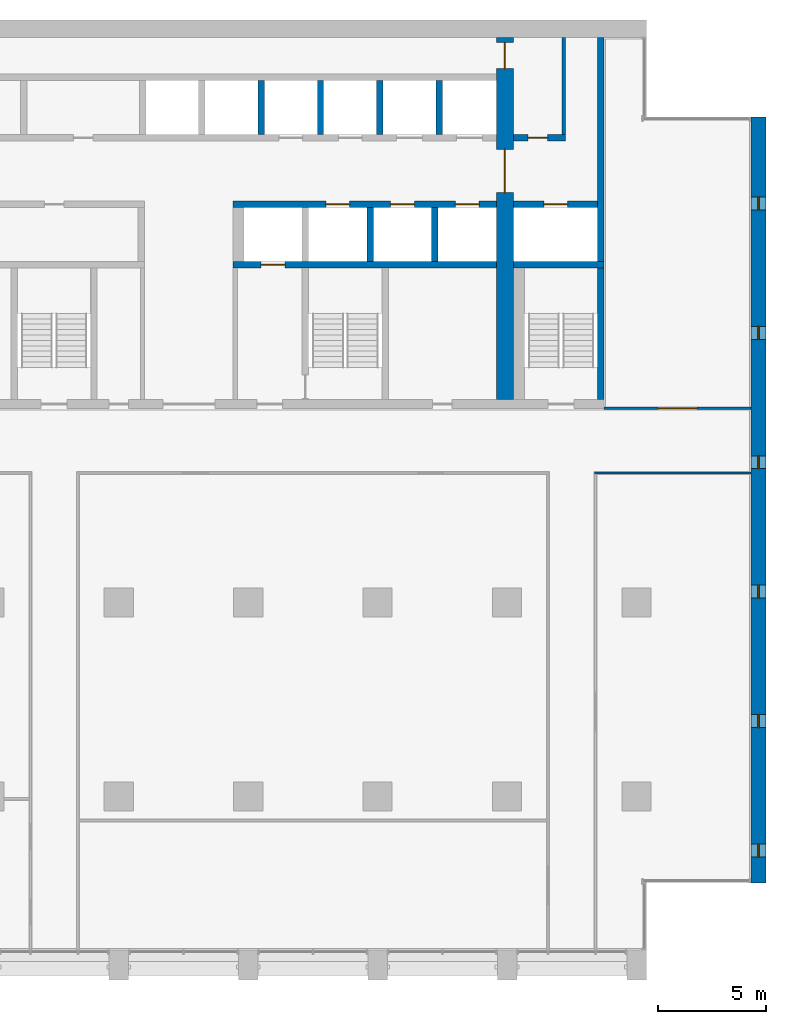
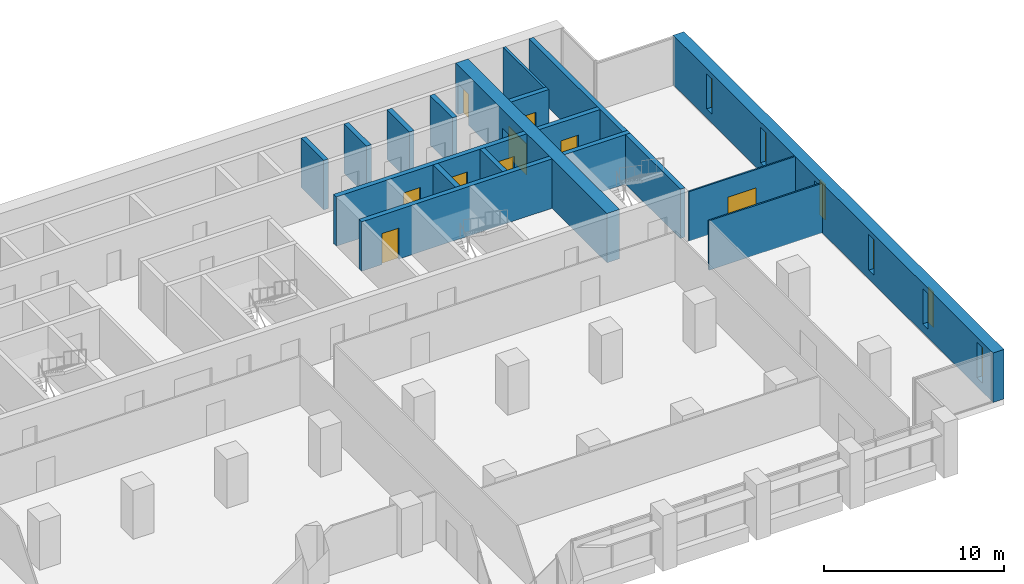
# One storey, part 11 of 15: 18 walls, 9 doors, 6 windows, 15 openings.
"""IFC4 building model written with IfcOpenShell, lengths in metres."""

from ifc_helpers import new_model, si_unit, direction, frame, frame_2d, origin, place, context, subcontext, project, spatial, rectangle, extrude, material, layer, layer_set, type_object, element, fill, save


model = new_model("IFC4")

# Units and contexts
model_context = context("Model", 3, precision=1e-05, world=origin(), true_north=direction((0.0, 1.0)))
body_context = subcontext(model_context, "Body", "Model", "MODEL_VIEW")
ifc_project = project(units=[si_unit("LENGTHUNIT", "METRE"), si_unit("AREAUNIT", "SQUARE_METRE"), si_unit("VOLUMEUNIT", "CUBIC_METRE"), si_unit("PLANEANGLEUNIT", "RADIAN"), si_unit("MASSUNIT", "GRAM", prefix="KILO")], contexts=[model_context])

# Site, building, storey
site_placement = place(None, origin())
site = spatial("IfcSite", under=ifc_project, at=site_placement, CompositionType="ELEMENT")
building_placement = place(site_placement, origin())
building = spatial("IfcBuilding", under=site, at=building_placement, Name="Calvaro Tower", CompositionType="ELEMENT")
storey_placement = place(building_placement, frame((0.0, 0.0, 117.5)))
storey = spatial("IfcBuildingStorey", under=building, at=storey_placement, Name="L29", CompositionType="ELEMENT", Elevation=117.5)

# Wall
ifc_material_1 = material(Name="Blockwork partition", Category="masonry")
ifc_layer_1 = layer(ifc_material_1, 0.14990234375)
ifc_layer_set_1 = layer_set([ifc_layer_1], Name="Blockwork partition")
wall_type_1 = type_object("IfcWallType", Name="Core partition 150 REI 120", PredefinedType="PARTITIONING", material=ifc_layer_set_1)
wall_1_placement = place(storey_placement, frame((62.625, 40.699951171875, 0.0), z_axis=(0.0, 0.0, 1.0), x_axis=(0.0, 1.0, 0.0)))
element("IfcWall", 1, at=wall_1_placement, inside=storey, type_object=wall_type_1, Name="Core partition", PredefinedType="PARTITIONING", context=body_context, shape_type="SweptSolid", body=[
    extrude(rectangle(XDim=4.5, YDim=0.14990234375, at=frame_2d((2.25, 0.0))), origin(), (0.0, 0.0, 1.0), 3.35009765625),
])

# Wall, opening, door
ifc_material_2 = material(Name="Blockwork partition", Category="masonry")
ifc_layer_2 = layer(ifc_material_2, 0.300048828125)
ifc_layer_set_2 = layer_set([ifc_layer_2], Name="Blockwork partition")
wall_type_2 = type_object("IfcWallType", Name="Core partition 300 REI 120", PredefinedType="PARTITIONING", material=ifc_layer_set_2)
wall_2_placement = place(storey_placement, frame((60.300048828125, 40.550048828125, 0.0), z_axis=(0.0, 0.0, 1.0), x_axis=(1.0, 0.0, 0.0)))
wall_2 = element("IfcWall", 2, at=wall_2_placement, inside=storey, type_object=wall_type_2, Name="Core partition", PredefinedType="PARTITIONING", context=body_context, shape_type="SweptSolid", body=[
    extrude(rectangle(XDim=2.39990234375, YDim=0.300048828125, at=frame_2d((1.199951171875, 0.0))), origin(), (0.0, 0.0, 1.0), 3.35009765625),
])
opening_1_placement = place(wall_2_placement, frame((0.675048828125, 0.0, 0.0)))
opening_1 = element("IfcOpeningElement", 3, at=opening_1_placement, cuts=wall_2, Name="Opening RD9C", PredefinedType="OPENING", context=body_context, shape_type="SweptSolid", body=[
    extrude(rectangle(XDim=0.89990234375, YDim=2.10009765625, at=frame_2d((0.449951171875, 1.050048828125))), frame((0.0, 0.159912109375, 0.0), z_axis=(0.0, -1.0, 0.0), x_axis=(1.0, 0.0, 0.0)), (0.0, 0.0, 1.0), 0.320068359375),
])
ifc_material_3 = material(Name="Steel door set", Category="steel")
door_type_1 = type_object("IfcDoorType", Name="Room door 900 FD30", OperationType="SINGLE_SWING_LEFT", PredefinedType="DOOR", material=ifc_material_3)
door_1_placement = place(opening_1_placement, origin())
door_1 = element("IfcDoor", 4, at=door_1_placement, inside=storey, type_object=door_type_1, Name="Room door", OperationType="SINGLE_SWING_LEFT", OverallHeight=2.10009765625, OverallWidth=0.89990234375, PredefinedType="DOOR", context=body_context, shape_type="SweptSolid", body=[
    extrude(rectangle(XDim=0.89990234375, YDim=2.10009765625, at=frame_2d((0.449951171875, 1.050048828125))), frame((0.0, 0.02490234375, 0.0), z_axis=(0.0, -1.0, 0.0), x_axis=(1.0, 0.0, 0.0)), (0.0, 0.0, 1.0), 0.050048828125),
])
fill(opening_1, door_1)

# Walls
ifc_material_4 = material(Name="Concrete C60/75", Category="concrete")
ifc_layer_3 = layer(ifc_material_4, 0.300048828125)
ifc_layer_set_3 = layer_set([ifc_layer_3], Name="Concrete C60/75")
wall_type_3 = type_object("IfcWallType", Name="Core wall C60/75 300", PredefinedType="SHEAR", material=ifc_layer_set_3)
wall_3_placement = place(storey_placement, frame((64.35009765625, 34.800048828125, 0.0), z_axis=(0.0, 0.0, 1.0), x_axis=(0.0, 1.0, 0.0)))
element("IfcWall", 5, at=wall_3_placement, inside=storey, type_object=wall_type_3, Name="Core wall, boundary", PredefinedType="SHEAR", context=body_context, shape_type="SweptSolid", body=[
    extrude(rectangle(XDim=10.39990234375, YDim=0.300048828125, at=frame_2d((5.199951171875, 0.0))), origin(), (0.0, 0.0, 1.0), 3.35009765625),
])
wall_4_placement = place(storey_placement, frame((64.35009765625, 28.39990234375, 0.0), z_axis=(0.0, 0.0, 1.0), x_axis=(0.0, 1.0, 0.0)))
element("IfcWall", 6, at=wall_4_placement, inside=storey, type_object=wall_type_3, Name="Core wall, stair enclosure", PredefinedType="SHEAR", context=body_context, shape_type="SweptSolid", body=[
    extrude(rectangle(XDim=6.10009765625, YDim=0.300048828125, at=frame_2d((3.050048828125, 0.0))), origin(), (0.0, 0.0, 1.0), 3.35009765625),
])

# Wall, opening, door
wall_5_placement = place(storey_placement, frame((47.300048828125, 34.64990234375, 0.0), z_axis=(0.0, 0.0, 1.0), x_axis=(1.0, 0.0, 0.0)))
wall_5 = element("IfcWall", 7, at=wall_5_placement, inside=storey, type_object=wall_type_3, Name="Core wall, lift shaft", PredefinedType="SHEAR", context=body_context, shape_type="SweptSolid", body=[
    extrude(rectangle(XDim=12.199951171875, YDim=0.300048828125, at=frame_2d((6.10009765625, 0.0))), origin(), (0.0, 0.0, 1.0), 3.35009765625),
])
opening_2_placement = place(wall_5_placement, frame((1.300048828125, 0.0, 0.0)))
opening_2 = element("IfcOpeningElement", 8, at=opening_2_placement, cuts=wall_5, Name="Opening FF2", PredefinedType="OPENING", context=body_context, shape_type="SweptSolid", body=[
    extrude(rectangle(XDim=1.10009765625, YDim=2.10009765625, at=frame_2d((0.550048828125, 1.050048828125))), frame((0.0, 0.159912109375, 0.0), z_axis=(0.0, -1.0, 0.0), x_axis=(1.0, 0.0, 0.0)), (0.0, 0.0, 1.0), 0.320068359375),
])
ifc_material_5 = material(Name="Stainless steel", Category="steel")
door_type_2 = type_object("IfcDoorType", Name="Landing door 1100 E 60", OperationType="SLIDING_TO_LEFT", PredefinedType="DOOR", material=ifc_material_5)
door_2_placement = place(opening_2_placement, origin())
door_2 = element("IfcDoor", 9, at=door_2_placement, inside=storey, type_object=door_type_2, Name="Landing door FF2", OperationType="SLIDING_TO_LEFT", OverallHeight=2.10009765625, OverallWidth=1.10009765625, PredefinedType="DOOR", context=body_context, shape_type="SweptSolid", body=[
    extrude(rectangle(XDim=1.10009765625, YDim=2.10009765625, at=frame_2d((0.550048828125, 1.050048828125))), frame((0.0, 0.02490234375, 0.0), z_axis=(0.0, -1.0, 0.0), x_axis=(1.0, 0.0, 0.0)), (0.0, 0.0, 1.0), 0.050048828125),
])
fill(opening_2, door_2)

# Wall
wall_6_placement = place(storey_placement, frame((60.300048828125, 34.64990234375, 0.0), z_axis=(0.0, 0.0, 1.0), x_axis=(1.0, 0.0, 0.0)))
element("IfcWall", 10, at=wall_6_placement, inside=storey, type_object=wall_type_3, Name="Core wall, lift shaft", PredefinedType="SHEAR", context=body_context, shape_type="SweptSolid", body=[
    extrude(rectangle(XDim=4.199951171875, YDim=0.300048828125, at=frame_2d((2.10009765625, 0.0))), origin(), (0.0, 0.0, 1.0), 3.35009765625),
])

# Wall, openings, doors
wall_7_placement = place(storey_placement, frame((47.300048828125, 37.449951171875, 0.0), z_axis=(0.0, 0.0, 1.0), x_axis=(1.0, 0.0, 0.0)))
wall_7 = element("IfcWall", 11, at=wall_7_placement, inside=storey, type_object=wall_type_3, Name="Core wall, lift shaft", PredefinedType="SHEAR", context=body_context, shape_type="SweptSolid", body=[
    extrude(rectangle(XDim=12.199951171875, YDim=0.300048828125, at=frame_2d((6.10009765625, 0.0))), origin(), (0.0, 0.0, 1.0), 3.35009765625),
])
opening_3_placement = place(wall_7_placement, frame((4.300048828125, 0.0, 0.0)))
opening_3 = element("IfcOpeningElement", 12, at=opening_3_placement, cuts=wall_7, Name="Opening MR1", PredefinedType="OPENING", context=body_context, shape_type="SweptSolid", body=[
    extrude(rectangle(XDim=1.10009765625, YDim=2.10009765625, at=frame_2d((0.550048828125, 1.050048828125))), frame((0.0, 0.159912109375, 0.0), z_axis=(0.0, -1.0, 0.0), x_axis=(1.0, 0.0, 0.0)), (0.0, 0.0, 1.0), 0.320068359375),
])
opening_4_placement = place(wall_7_placement, frame((7.300048828125, 0.0, 0.0)))
opening_4 = element("IfcOpeningElement", 13, at=opening_4_placement, cuts=wall_7, Name="Opening MR2", PredefinedType="OPENING", context=body_context, shape_type="SweptSolid", body=[
    extrude(rectangle(XDim=1.10009765625, YDim=2.10009765625, at=frame_2d((0.550048828125, 1.050048828125))), frame((0.0, 0.159912109375, 0.0), z_axis=(0.0, -1.0, 0.0), x_axis=(1.0, 0.0, 0.0)), (0.0, 0.0, 1.0), 0.320068359375),
])
opening_5_placement = place(wall_7_placement, frame((10.300048828125, 0.0, 0.0)))
opening_5 = element("IfcOpeningElement", 14, at=opening_5_placement, cuts=wall_7, Name="Opening MR3", PredefinedType="OPENING", context=body_context, shape_type="SweptSolid", body=[
    extrude(rectangle(XDim=1.10009765625, YDim=2.10009765625, at=frame_2d((0.550048828125, 1.050048828125))), frame((0.0, 0.159912109375, 0.0), z_axis=(0.0, -1.0, 0.0), x_axis=(1.0, 0.0, 0.0)), (0.0, 0.0, 1.0), 0.320068359375),
])
door_3_placement = place(opening_3_placement, origin())
door_3 = element("IfcDoor", 15, at=door_3_placement, inside=storey, type_object=door_type_2, Name="Landing door MR1", OperationType="SLIDING_TO_LEFT", OverallHeight=2.10009765625, OverallWidth=1.10009765625, PredefinedType="DOOR", context=body_context, shape_type="SweptSolid", body=[
    extrude(rectangle(XDim=1.10009765625, YDim=2.10009765625, at=frame_2d((0.550048828125, 1.050048828125))), frame((0.0, 0.02490234375, 0.0), z_axis=(0.0, -1.0, 0.0), x_axis=(1.0, 0.0, 0.0)), (0.0, 0.0, 1.0), 0.050048828125),
])
fill(opening_3, door_3)
door_4_placement = place(opening_4_placement, origin())
door_4 = element("IfcDoor", 16, at=door_4_placement, inside=storey, type_object=door_type_2, Name="Landing door MR2", OperationType="SLIDING_TO_LEFT", OverallHeight=2.10009765625, OverallWidth=1.10009765625, PredefinedType="DOOR", context=body_context, shape_type="SweptSolid", body=[
    extrude(rectangle(XDim=1.10009765625, YDim=2.10009765625, at=frame_2d((0.550048828125, 1.050048828125))), frame((0.0, 0.02490234375, 0.0), z_axis=(0.0, -1.0, 0.0), x_axis=(1.0, 0.0, 0.0)), (0.0, 0.0, 1.0), 0.050048828125),
])
fill(opening_4, door_4)
door_5_placement = place(opening_5_placement, origin())
door_5 = element("IfcDoor", 17, at=door_5_placement, inside=storey, type_object=door_type_2, Name="Landing door MR3", OperationType="SLIDING_TO_LEFT", OverallHeight=2.10009765625, OverallWidth=1.10009765625, PredefinedType="DOOR", context=body_context, shape_type="SweptSolid", body=[
    extrude(rectangle(XDim=1.10009765625, YDim=2.10009765625, at=frame_2d((0.550048828125, 1.050048828125))), frame((0.0, 0.02490234375, 0.0), z_axis=(0.0, -1.0, 0.0), x_axis=(1.0, 0.0, 0.0)), (0.0, 0.0, 1.0), 0.050048828125),
])
fill(opening_5, door_5)

# Wall, opening, door
wall_8_placement = place(storey_placement, frame((60.300048828125, 37.449951171875, 0.0), z_axis=(0.0, 0.0, 1.0), x_axis=(1.0, 0.0, 0.0)))
wall_8 = element("IfcWall", 18, at=wall_8_placement, inside=storey, type_object=wall_type_3, Name="Core wall, lift shaft", PredefinedType="SHEAR", context=body_context, shape_type="SweptSolid", body=[
    extrude(rectangle(XDim=3.89990234375, YDim=0.300048828125, at=frame_2d((1.949951171875, 0.0))), origin(), (0.0, 0.0, 1.0), 3.35009765625),
])
opening_6_placement = place(wall_8_placement, frame((1.39990234375, 0.0, 0.0)))
opening_6 = element("IfcOpeningElement", 19, at=opening_6_placement, cuts=wall_8, Name="Opening FF3", PredefinedType="OPENING", context=body_context, shape_type="SweptSolid", body=[
    extrude(rectangle(XDim=1.10009765625, YDim=2.10009765625, at=frame_2d((0.550048828125, 1.050048828125))), frame((0.0, 0.159912109375, 0.0), z_axis=(0.0, -1.0, 0.0), x_axis=(1.0, 0.0, 0.0)), (0.0, 0.0, 1.0), 0.320068359375),
])
door_6_placement = place(opening_6_placement, origin())
door_6 = element("IfcDoor", 20, at=door_6_placement, inside=storey, type_object=door_type_2, Name="Landing door FF3", OperationType="SLIDING_TO_LEFT", OverallHeight=2.10009765625, OverallWidth=1.10009765625, PredefinedType="DOOR", context=body_context, shape_type="SweptSolid", body=[
    extrude(rectangle(XDim=1.10009765625, YDim=2.10009765625, at=frame_2d((0.550048828125, 1.050048828125))), frame((0.0, 0.02490234375, 0.0), z_axis=(0.0, -1.0, 0.0), x_axis=(1.0, 0.0, 0.0)), (0.0, 0.0, 1.0), 0.050048828125),
])
fill(opening_6, door_6)

# Walls
for number, where, z_axis, x_axis, name in (
    (21, (53.64990234375, 34.800048828125, 0.0), (0.0, 0.0, 1.0), (0.0, 1.0, 0.0), "Core wall, lift shaft"),
    (22, (56.64990234375, 34.800048828125, 0.0), (0.0, 0.0, 1.0), (0.0, 1.0, 0.0), "Core wall, lift shaft"),
    (23, (48.60009765625, 40.699951171875, 0.0), (0.0, 0.0, 1.0), (0.0, 1.0, 0.0), "Core wall, lift shaft"),
    (24, (51.35009765625, 40.699951171875, 0.0), (0.0, 0.0, 1.0), (0.0, 1.0, 0.0), "Core wall, lift shaft"),
    (25, (54.10009765625, 40.699951171875, 0.0), (0.0, 0.0, 1.0), (0.0, 1.0, 0.0), "Core wall, lift shaft"),
    (26, (56.85009765625, 40.699951171875, 0.0), (0.0, 0.0, 1.0), (0.0, 1.0, 0.0), "Core wall, lift shaft"),
):
    element("IfcWall", number, at=place(storey_placement, frame(where, z_axis=z_axis, x_axis=x_axis)), inside=storey, type_object=wall_type_3, Name=name, PredefinedType="SHEAR", context=body_context, shape_type="SweptSolid", body=[
        extrude(rectangle(XDim=2.5, YDim=0.300048828125, at=frame_2d((1.25, 0.0))), origin(), (0.0, 0.0, 1.0), 3.35009765625),
    ])

# Wall, openings, doors
ifc_material_6 = material(Name="Concrete C60/75", Category="concrete")
ifc_layer_4 = layer(ifc_material_6, 0.800048828125)
ifc_layer_set_4 = layer_set([ifc_layer_4], Name="Concrete C60/75")
wall_type_4 = type_object("IfcWallType", Name="Core wall C60/75 800", PredefinedType="SHEAR", material=ifc_layer_set_4)
wall_9_placement = place(storey_placement, frame((59.89990234375, 28.39990234375, 0.0), z_axis=(0.0, 0.0, 1.0), x_axis=(0.0, 1.0, 0.0)))
wall_9 = element("IfcWall", 27, at=wall_9_placement, inside=storey, type_object=wall_type_4, Name="Core wall, cross shear wall", PredefinedType="SHEAR", context=body_context, shape_type="SweptSolid", body=[
    extrude(rectangle(XDim=16.800048828125, YDim=0.800048828125, at=frame_2d((8.39990234375, 0.0))), origin(), (0.0, 0.0, 1.0), 3.35009765625),
])
opening_7_placement = place(wall_9_placement, frame((9.60009765625, 0.0, 0.0)))
opening_7 = element("IfcOpeningElement", 28, at=opening_7_placement, cuts=wall_9, Name="Opening DD20D", PredefinedType="OPENING", context=body_context, shape_type="SweptSolid", body=[
    extrude(rectangle(XDim=2.0, YDim=2.10009765625, at=frame_2d((1.0, 1.050048828125))), frame((0.0, 0.409912109375, 0.0), z_axis=(0.0, -1.0, 0.0), x_axis=(1.0, 0.0, 0.0)), (0.0, 0.0, 1.0), 0.820068359375),
])
opening_8_placement = place(wall_9_placement, frame((15.35009765625, 0.0, 0.0)))
opening_8 = element("IfcOpeningElement", 29, at=opening_8_placement, cuts=wall_9, Name="Opening FD12C", PredefinedType="OPENING", context=body_context, shape_type="SweptSolid", body=[
    extrude(rectangle(XDim=1.199951171875, YDim=2.10009765625, at=frame_2d((0.60009765625, 1.050048828125))), frame((0.0, 0.409912109375, 0.0), z_axis=(0.0, -1.0, 0.0), x_axis=(1.0, 0.0, 0.0)), (0.0, 0.0, 1.0), 0.820068359375),
])
ifc_material_7 = material(Name="Steel door set", Category="steel")
door_type_3 = type_object("IfcDoorType", Name="Fire door 1200 FD30", OperationType="SINGLE_SWING_LEFT", PredefinedType="DOOR", material=ifc_material_7)
door_7_placement = place(opening_8_placement, origin())
door_7 = element("IfcDoor", 30, at=door_7_placement, inside=storey, type_object=door_type_3, Name="Fire door", OperationType="SINGLE_SWING_LEFT", OverallHeight=2.10009765625, OverallWidth=1.199951171875, PredefinedType="DOOR", context=body_context, shape_type="SweptSolid", body=[
    extrude(rectangle(XDim=1.199951171875, YDim=2.10009765625, at=frame_2d((0.60009765625, 1.050048828125))), frame((0.0, 0.02490234375, 0.0), z_axis=(0.0, -1.0, 0.0), x_axis=(1.0, 0.0, 0.0)), (0.0, 0.0, 1.0), 0.050048828125),
])
fill(opening_8, door_7)
ifc_material_8 = material(Name="Steel door set", Category="steel")
door_type_4 = type_object("IfcDoorType", Name="Lobby double door 2000 FD30S", OperationType="DOUBLE_DOOR_SINGLE_SWING", PredefinedType="DOOR", material=ifc_material_8)
door_8_placement = place(opening_7_placement, origin())
door_8 = element("IfcDoor", 31, at=door_8_placement, inside=storey, type_object=door_type_4, Name="Lobby double door", OperationType="DOUBLE_DOOR_SINGLE_SWING", OverallHeight=2.10009765625, OverallWidth=2.0, PredefinedType="DOOR", context=body_context, shape_type="SweptSolid", body=[
    extrude(rectangle(XDim=2.0, YDim=2.10009765625, at=frame_2d((1.0, 1.050048828125))), frame((0.0, 0.02490234375, 0.0), z_axis=(0.0, -1.0, 0.0), x_axis=(1.0, 0.0, 0.0)), (0.0, 0.0, 1.0), 0.050048828125),
])
fill(opening_7, door_8)

# Wall, openings, windows
ifc_material_9 = material(Name="Concrete C60/75", Category="concrete")
ifc_layer_5 = layer(ifc_material_9, 0.699951171875)
ifc_layer_set_5 = layer_set([ifc_layer_5], Name="Concrete C60/75")
wall_type_5 = type_object("IfcWallType", Name="End wall 700 C60/75", PredefinedType="SHEAR", material=ifc_layer_set_5)
wall_10_placement = place(storey_placement, frame((71.64990234375, 6.0, 0.0), z_axis=(0.0, 0.0, 1.0), x_axis=(0.0, 1.0, 0.0)))
wall_10 = element("IfcWall", 32, at=wall_10_placement, inside=storey, type_object=wall_type_5, Name="End shear wall", PredefinedType="SHEAR", context=body_context, shape_type="SweptSolid", body=[
    extrude(rectangle(XDim=35.5, YDim=0.699951171875, at=frame_2d((17.75, 0.0))), origin(), (0.0, 0.0, 1.0), 3.35009765625),
])
opening_9_placement = place(wall_10_placement, frame((1.199951171875, 0.0, 0.60009765625)))
opening_9 = element("IfcOpeningElement", 33, at=opening_9_placement, cuts=wall_10, Name="Opening WE01", PredefinedType="OPENING", context=body_context, shape_type="SweptSolid", body=[
    extrude(rectangle(XDim=0.60009765625, YDim=2.39990234375, at=frame_2d((0.300048828125, 1.199951171875))), frame((0.0, 0.35986328125, 0.0), z_axis=(0.0, -1.0, 0.0), x_axis=(1.0, 0.0, 0.0)), (0.0, 0.0, 1.0), 0.719970703125),
])
opening_10_placement = place(wall_10_placement, frame((7.199951171875, 0.0, 0.60009765625)))
opening_10 = element("IfcOpeningElement", 34, at=opening_10_placement, cuts=wall_10, Name="Opening WE02", PredefinedType="OPENING", context=body_context, shape_type="SweptSolid", body=[
    extrude(rectangle(XDim=0.60009765625, YDim=2.39990234375, at=frame_2d((0.300048828125, 1.199951171875))), frame((0.0, 0.35986328125, 0.0), z_axis=(0.0, -1.0, 0.0), x_axis=(1.0, 0.0, 0.0)), (0.0, 0.0, 1.0), 0.719970703125),
])
opening_11_placement = place(wall_10_placement, frame((13.199951171875, 0.0, 0.60009765625)))
opening_11 = element("IfcOpeningElement", 35, at=opening_11_placement, cuts=wall_10, Name="Opening WE03", PredefinedType="OPENING", context=body_context, shape_type="SweptSolid", body=[
    extrude(rectangle(XDim=0.60009765625, YDim=2.39990234375, at=frame_2d((0.300048828125, 1.199951171875))), frame((0.0, 0.35986328125, 0.0), z_axis=(0.0, -1.0, 0.0), x_axis=(1.0, 0.0, 0.0)), (0.0, 0.0, 1.0), 0.719970703125),
])
opening_12_placement = place(wall_10_placement, frame((19.199951171875, 0.0, 0.60009765625)))
opening_12 = element("IfcOpeningElement", 36, at=opening_12_placement, cuts=wall_10, Name="Opening WE04", PredefinedType="OPENING", context=body_context, shape_type="SweptSolid", body=[
    extrude(rectangle(XDim=0.60009765625, YDim=2.39990234375, at=frame_2d((0.300048828125, 1.199951171875))), frame((0.0, 0.35986328125, 0.0), z_axis=(0.0, -1.0, 0.0), x_axis=(1.0, 0.0, 0.0)), (0.0, 0.0, 1.0), 0.719970703125),
])
opening_13_placement = place(wall_10_placement, frame((25.199951171875, 0.0, 0.60009765625)))
opening_13 = element("IfcOpeningElement", 37, at=opening_13_placement, cuts=wall_10, Name="Opening WE05", PredefinedType="OPENING", context=body_context, shape_type="SweptSolid", body=[
    extrude(rectangle(XDim=0.60009765625, YDim=2.39990234375, at=frame_2d((0.300048828125, 1.199951171875))), frame((0.0, 0.35986328125, 0.0), z_axis=(0.0, -1.0, 0.0), x_axis=(1.0, 0.0, 0.0)), (0.0, 0.0, 1.0), 0.719970703125),
])
opening_14_placement = place(wall_10_placement, frame((31.199951171875, 0.0, 0.60009765625)))
opening_14 = element("IfcOpeningElement", 38, at=opening_14_placement, cuts=wall_10, Name="Opening WE06", PredefinedType="OPENING", context=body_context, shape_type="SweptSolid", body=[
    extrude(rectangle(XDim=0.60009765625, YDim=2.39990234375, at=frame_2d((0.300048828125, 1.199951171875))), frame((0.0, 0.35986328125, 0.0), z_axis=(0.0, -1.0, 0.0), x_axis=(1.0, 0.0, 0.0)), (0.0, 0.0, 1.0), 0.719970703125),
])
ifc_material_10 = material(Name="Glass", Category="glass")
window_type = type_object("IfcWindowType", Name="Slit window 600 x 2400", PartitioningType="SINGLE_PANEL", PredefinedType="WINDOW", material=ifc_material_10)
window_1_placement = place(opening_9_placement, origin())
window_1 = element("IfcWindow", 39, at=window_1_placement, inside=storey, type_object=window_type, Name="Window WE01", OverallHeight=2.39990234375, OverallWidth=0.60009765625, PartitioningType="SINGLE_PANEL", PredefinedType="WINDOW", context=body_context, shape_type="SweptSolid", body=[
    extrude(rectangle(XDim=0.60009765625, YDim=2.39990234375, at=frame_2d((0.300048828125, 1.199951171875))), frame((0.0, 0.030029296875, 0.0), z_axis=(0.0, -1.0, 0.0), x_axis=(1.0, 0.0, 0.0)), (0.0, 0.0, 1.0), 0.06005859375),
])
fill(opening_9, window_1)
window_2_placement = place(opening_10_placement, origin())
window_2 = element("IfcWindow", 40, at=window_2_placement, inside=storey, type_object=window_type, Name="Window WE02", OverallHeight=2.39990234375, OverallWidth=0.60009765625, PartitioningType="SINGLE_PANEL", PredefinedType="WINDOW", context=body_context, shape_type="SweptSolid", body=[
    extrude(rectangle(XDim=0.60009765625, YDim=2.39990234375, at=frame_2d((0.300048828125, 1.199951171875))), frame((0.0, 0.030029296875, 0.0), z_axis=(0.0, -1.0, 0.0), x_axis=(1.0, 0.0, 0.0)), (0.0, 0.0, 1.0), 0.06005859375),
])
fill(opening_10, window_2)
window_3_placement = place(opening_11_placement, origin())
window_3 = element("IfcWindow", 41, at=window_3_placement, inside=storey, type_object=window_type, Name="Window WE03", OverallHeight=2.39990234375, OverallWidth=0.60009765625, PartitioningType="SINGLE_PANEL", PredefinedType="WINDOW", context=body_context, shape_type="SweptSolid", body=[
    extrude(rectangle(XDim=0.60009765625, YDim=2.39990234375, at=frame_2d((0.300048828125, 1.199951171875))), frame((0.0, 0.030029296875, 0.0), z_axis=(0.0, -1.0, 0.0), x_axis=(1.0, 0.0, 0.0)), (0.0, 0.0, 1.0), 0.06005859375),
])
fill(opening_11, window_3)
window_4_placement = place(opening_12_placement, origin())
window_4 = element("IfcWindow", 42, at=window_4_placement, inside=storey, type_object=window_type, Name="Window WE04", OverallHeight=2.39990234375, OverallWidth=0.60009765625, PartitioningType="SINGLE_PANEL", PredefinedType="WINDOW", context=body_context, shape_type="SweptSolid", body=[
    extrude(rectangle(XDim=0.60009765625, YDim=2.39990234375, at=frame_2d((0.300048828125, 1.199951171875))), frame((0.0, 0.030029296875, 0.0), z_axis=(0.0, -1.0, 0.0), x_axis=(1.0, 0.0, 0.0)), (0.0, 0.0, 1.0), 0.06005859375),
])
fill(opening_12, window_4)
window_5_placement = place(opening_13_placement, origin())
window_5 = element("IfcWindow", 43, at=window_5_placement, inside=storey, type_object=window_type, Name="Window WE05", OverallHeight=2.39990234375, OverallWidth=0.60009765625, PartitioningType="SINGLE_PANEL", PredefinedType="WINDOW", context=body_context, shape_type="SweptSolid", body=[
    extrude(rectangle(XDim=0.60009765625, YDim=2.39990234375, at=frame_2d((0.300048828125, 1.199951171875))), frame((0.0, 0.030029296875, 0.0), z_axis=(0.0, -1.0, 0.0), x_axis=(1.0, 0.0, 0.0)), (0.0, 0.0, 1.0), 0.06005859375),
])
fill(opening_13, window_5)
window_6_placement = place(opening_14_placement, origin())
window_6 = element("IfcWindow", 44, at=window_6_placement, inside=storey, type_object=window_type, Name="Window WE06", OverallHeight=2.39990234375, OverallWidth=0.60009765625, PartitioningType="SINGLE_PANEL", PredefinedType="WINDOW", context=body_context, shape_type="SweptSolid", body=[
    extrude(rectangle(XDim=0.60009765625, YDim=2.39990234375, at=frame_2d((0.300048828125, 1.199951171875))), frame((0.0, 0.030029296875, 0.0), z_axis=(0.0, -1.0, 0.0), x_axis=(1.0, 0.0, 0.0)), (0.0, 0.0, 1.0), 0.06005859375),
])
fill(opening_14, window_6)

# Wall
ifc_material_11 = material(Name="Plasterboard on steel studs", Category="steel")
ifc_layer_6 = layer(ifc_material_11, 0.10009765625)
ifc_layer_set_6 = layer_set([ifc_layer_6], Name="Plasterboard on steel studs")
wall_type_6 = type_object("IfcWallType", Name="Partition 100", PredefinedType="PARTITIONING", material=ifc_layer_set_6)
wall_11_placement = place(storey_placement, frame((64.050048828125, 25.0, 0.0), z_axis=(0.0, 0.0, 1.0), x_axis=(1.0, 0.0, 0.0)))
element("IfcWall", 45, at=wall_11_placement, inside=storey, type_object=wall_type_6, Name="Partition T18.W010", PredefinedType="PARTITIONING", context=body_context, shape_type="SweptSolid", body=[
    extrude(rectangle(XDim=7.25, YDim=0.10009765625, at=frame_2d((3.625, 0.0))), origin(), (0.0, 0.0, 1.0), 3.35009765625),
])

# Wall, opening, door
wall_12_placement = place(storey_placement, frame((64.5, 28.0, 0.0), z_axis=(0.0, 0.0, 1.0), x_axis=(1.0, 0.0, 0.0)))
wall_12 = element("IfcWall", 46, at=wall_12_placement, inside=storey, type_object=wall_type_6, Name="Partition T18.W012", PredefinedType="PARTITIONING", context=body_context, shape_type="SweptSolid", body=[
    extrude(rectangle(XDim=6.800048828125, YDim=0.10009765625, at=frame_2d((3.39990234375, 0.0))), origin(), (0.0, 0.0, 1.0), 3.35009765625),
])
opening_15_placement = place(wall_12_placement, frame((2.5, 0.0, 0.0)))
opening_15 = element("IfcOpeningElement", 47, at=opening_15_placement, cuts=wall_12, Name="Opening T18.012", PredefinedType="OPENING", context=body_context, shape_type="SweptSolid", body=[
    extrude(rectangle(XDim=1.800048828125, YDim=2.10009765625, at=frame_2d((0.89990234375, 1.050048828125))), frame((0.0, 0.06005859375, 0.0), z_axis=(0.0, -1.0, 0.0), x_axis=(1.0, 0.0, 0.0)), (0.0, 0.0, 1.0), 0.1201171875),
])
ifc_material_12 = material(Name="Timber", Category="wood")
door_type_5 = type_object("IfcDoorType", Name="Internal double door 1800 x 2100", OperationType="DOUBLE_DOOR_SINGLE_SWING", PredefinedType="DOOR", material=ifc_material_12)
door_9_placement = place(opening_15_placement, origin())
door_9 = element("IfcDoor", 48, at=door_9_placement, inside=storey, type_object=door_type_5, Name="Door T18.012", OperationType="DOUBLE_DOOR_SINGLE_SWING", OverallHeight=2.10009765625, OverallWidth=1.800048828125, PredefinedType="DOOR", context=body_context, shape_type="SweptSolid", body=[
    extrude(rectangle(XDim=1.800048828125, YDim=2.10009765625, at=frame_2d((0.89990234375, 1.050048828125))), frame((0.0, 0.02490234375, 0.0), z_axis=(0.0, -1.0, 0.0), x_axis=(1.0, 0.0, 0.0)), (0.0, 0.0, 1.0), 0.050048828125),
])
fill(opening_15, door_9)

save(model, "model.ifc")
